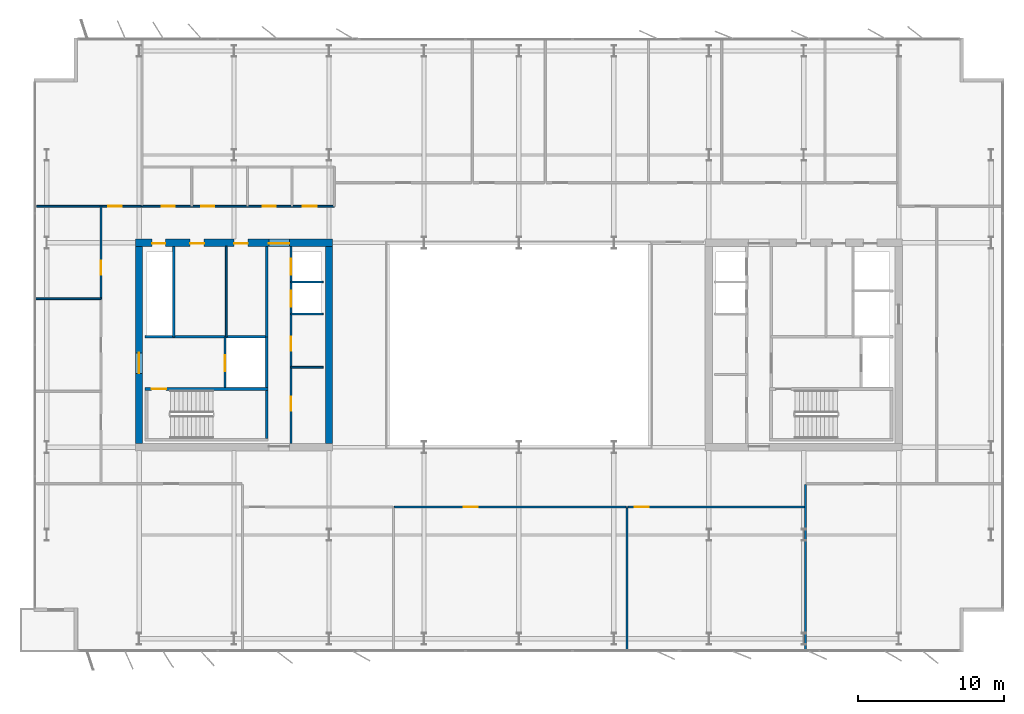
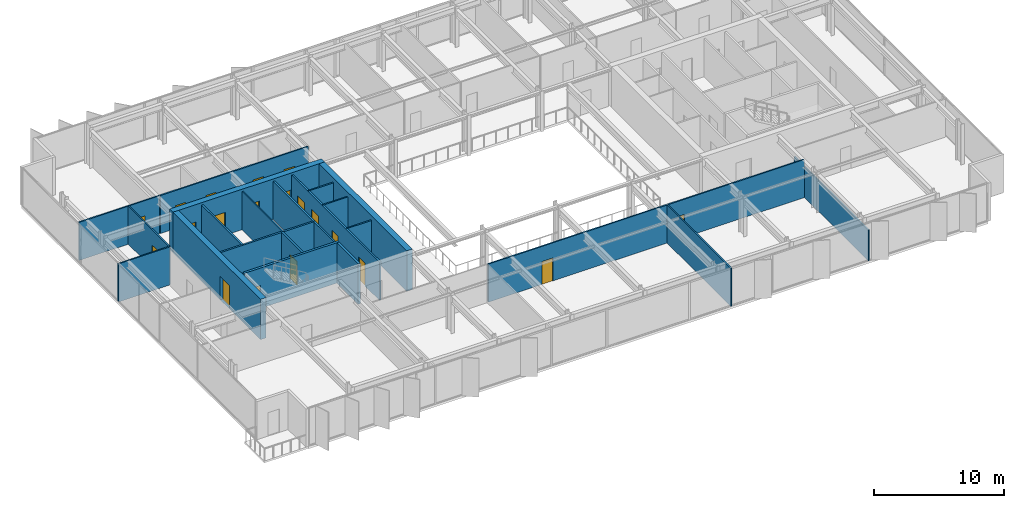
# One storey, part 17 of 23: 23 walls, 19 doors, 19 openings.
"""IFC4 building model written with IfcOpenShell, lengths in metres."""

from ifc_helpers import new_model, si_unit, direction, frame, frame_2d, origin, place, context, subcontext, project, spatial, rectangle, extrude, material, layer, layer_set, type_object, element, fill, save


model = new_model("IFC4")

# Units and contexts
model_context = context("Model", 3, precision=1e-05, world=origin(), true_north=direction((0.0, 1.0)))
body_context = subcontext(model_context, "Body", "Model", "MODEL_VIEW")
ifc_project = project(units=[si_unit("LENGTHUNIT", "METRE"), si_unit("AREAUNIT", "SQUARE_METRE"), si_unit("VOLUMEUNIT", "CUBIC_METRE"), si_unit("PLANEANGLEUNIT", "RADIAN"), si_unit("MASSUNIT", "GRAM", prefix="KILO")], contexts=[model_context])

# Site, building, storey
site_placement = place(None, origin())
site = spatial("IfcSite", under=ifc_project, at=site_placement, CompositionType="ELEMENT")
building_placement = place(site_placement, origin())
building = spatial("IfcBuilding", under=site, at=building_placement, Name="Putna Gate Headquarters", CompositionType="ELEMENT")
storey_placement = place(building_placement, frame((0.0, 0.0, 232.800048828125)))
storey = spatial("IfcBuildingStorey", under=building, at=storey_placement, Name="L58", CompositionType="ELEMENT", Elevation=232.800048828125)

# Wall, openings, doors
ifc_material_1 = material(Name="Concrete C50/60", Category="concrete")
ifc_layer_1 = layer(ifc_material_1, 0.5)
ifc_layer_set_1 = layer_set([ifc_layer_1], Name="Concrete C50/60")
wall_type_1 = type_object("IfcWallType", Name="WALL-CORE-500", PredefinedType="SHEAR", material=ifc_layer_set_1)
wall_1_placement = place(storey_placement, frame((12.75, 33.0, 0.0), z_axis=(0.0, 0.0, 1.0), x_axis=(1.0, 0.0, 0.0)))
wall_1 = element("IfcWall", 1, at=wall_1_placement, inside=storey, type_object=wall_type_1, Name="L58 WC Split Core Shear Wall N", PredefinedType="SHEAR", context=body_context, shape_type="SweptSolid", body=[
    extrude(rectangle(XDim=13.5, YDim=0.5, at=frame_2d((6.75, 0.0))), origin(), (0.0, 0.0, 1.0), 3.800048828125),
])
opening_1_placement = place(wall_1_placement, frame((1.14990234375, 0.0, 0.0)))
opening_1 = element("IfcOpeningElement", 2, at=opening_1_placement, cuts=wall_1, Name="Opening RD-90", PredefinedType="OPENING", context=body_context, shape_type="SweptSolid", body=[
    extrude(rectangle(XDim=0.89990234375, YDim=2.14990234375, at=frame_2d((0.449951171875, 1.074951171875))), frame((0.0, 0.260009765625, 0.0), z_axis=(0.0, -1.0, 0.0), x_axis=(1.0, 0.0, 0.0)), (0.0, 0.0, 1.0), 0.52001953125),
])
opening_2_placement = place(wall_1_placement, frame((3.75, 0.0, 0.0)))
opening_2 = element("IfcOpeningElement", 3, at=opening_2_placement, cuts=wall_1, Name="Opening IDS-95", PredefinedType="OPENING", context=body_context, shape_type="SweptSolid", body=[
    extrude(rectangle(XDim=0.949951171875, YDim=2.14990234375, at=frame_2d((0.47509765625, 1.074951171875))), frame((0.0, 0.260009765625, 0.0), z_axis=(0.0, -1.0, 0.0), x_axis=(1.0, 0.0, 0.0)), (0.0, 0.0, 1.0), 0.52001953125),
])
opening_3_placement = place(wall_1_placement, frame((6.75, 0.0, 0.0)))
opening_3 = element("IfcOpeningElement", 4, at=opening_3_placement, cuts=wall_1, Name="Opening IDS-95", PredefinedType="OPENING", context=body_context, shape_type="SweptSolid", body=[
    extrude(rectangle(XDim=0.949951171875, YDim=2.14990234375, at=frame_2d((0.47509765625, 1.074951171875))), frame((0.0, 0.260009765625, 0.0), z_axis=(0.0, -1.0, 0.0), x_axis=(1.0, 0.0, 0.0)), (0.0, 0.0, 1.0), 0.52001953125),
])
opening_4_placement = place(wall_1_placement, frame((9.1298828125, 0.0, 0.0)))
opening_4 = element("IfcOpeningElement", 5, at=opening_4_placement, cuts=wall_1, Name="Opening FDD-140", PredefinedType="OPENING", context=body_context, shape_type="SweptSolid", body=[
    extrude(rectangle(XDim=1.39990234375, YDim=2.199951171875, at=frame_2d((0.699951171875, 1.10009765625))), frame((0.0, 0.260009765625, 0.0), z_axis=(0.0, -1.0, 0.0), x_axis=(1.0, 0.0, 0.0)), (0.0, 0.0, 1.0), 0.52001953125),
])
ifc_material_2 = material(Name="Double steel fire door", Category="steel")
door_type_1 = type_object("IfcDoorType", Name="DOOR-FIRE-DBL-1400", OperationType="DOUBLE_DOOR_SINGLE_SWING", PredefinedType="DOOR", material=ifc_material_2)
door_1_placement = place(opening_4_placement, origin())
door_1 = element("IfcDoor", 6, at=door_1_placement, inside=storey, type_object=door_type_1, Name="L58 West Lift Lobby North Door", OperationType="DOUBLE_DOOR_SINGLE_SWING", OverallHeight=2.199951171875, OverallWidth=1.39990234375, PredefinedType="DOOR", context=body_context, shape_type="SweptSolid", body=[
    extrude(rectangle(XDim=1.39990234375, YDim=2.199951171875, at=frame_2d((0.699951171875, 1.10009765625))), frame((0.0, -0.02490234375, 0.0), z_axis=(0.0, -1.0, 0.0), x_axis=(1.0, 0.0, 0.0)), (0.0, 0.0, 1.0), 0.050048828125),
])
fill(opening_4, door_1)
ifc_material_3 = material(Name="Fire-rated service timber door", Category="wood")
door_type_2 = type_object("IfcDoorType", Name="DOOR-INT-950", OperationType="NOTDEFINED", PredefinedType="DOOR", material=ifc_material_3)
door_2_placement = place(opening_2_placement, origin())
door_2 = element("IfcDoor", 7, at=door_2_placement, inside=storey, type_object=door_type_2, Name="L58 Cleaner Store Door", OperationType="SINGLE_SWING_LEFT", OverallHeight=2.14990234375, OverallWidth=0.949951171875, PredefinedType="DOOR", context=body_context, shape_type="SweptSolid", body=[
    extrude(rectangle(XDim=0.949951171875, YDim=2.14990234375, at=frame_2d((0.47509765625, 1.074951171875))), frame((0.0, -0.02490234375, 0.0), z_axis=(0.0, -1.0, 0.0), x_axis=(1.0, 0.0, 0.0)), (0.0, 0.0, 1.0), 0.050048828125),
])
fill(opening_2, door_2)
door_3_placement = place(opening_3_placement, origin())
door_3 = element("IfcDoor", 8, at=door_3_placement, inside=storey, type_object=door_type_2, Name="L58 Comms Plant Door", OperationType="SINGLE_SWING_RIGHT", OverallHeight=2.14990234375, OverallWidth=0.949951171875, PredefinedType="DOOR", context=body_context, shape_type="SweptSolid", body=[
    extrude(rectangle(XDim=0.949951171875, YDim=2.14990234375, at=frame_2d((0.47509765625, 1.074951171875))), frame((0.0, -0.02490234375, 0.0), z_axis=(0.0, -1.0, 0.0), x_axis=(1.0, 0.0, 0.0)), (0.0, 0.0, 1.0), 0.050048828125),
])
fill(opening_3, door_3)
ifc_material_4 = material(Name="Steel riser access fire door", Category="steel")
door_type_3 = type_object("IfcDoorType", Name="DOOR-RISER-900", OperationType="NOTDEFINED", PredefinedType="DOOR", material=ifc_material_4)
door_4_placement = place(opening_1_placement, origin())
door_4 = element("IfcDoor", 9, at=door_4_placement, inside=storey, type_object=door_type_3, Name="L58 West Riser Access Door", OperationType="SINGLE_SWING_RIGHT", OverallHeight=2.14990234375, OverallWidth=0.89990234375, PredefinedType="DOOR", context=body_context, shape_type="SweptSolid", body=[
    extrude(rectangle(XDim=0.89990234375, YDim=2.14990234375, at=frame_2d((0.449951171875, 1.074951171875))), frame((0.0, -0.02490234375, 0.0), z_axis=(0.0, -1.0, 0.0), x_axis=(1.0, 0.0, 0.0)), (0.0, 0.0, 1.0), 0.050048828125),
])
fill(opening_1, door_4)

# Wall, opening, door
wall_2_placement = place(storey_placement, frame((13.0, 19.25, 0.0), z_axis=(0.0, 0.0, 1.0), x_axis=(0.0, 1.0, 0.0)))
wall_2 = element("IfcWall", 10, at=wall_2_placement, inside=storey, type_object=wall_type_1, Name="L58 WC Split Core Shear Wall W", PredefinedType="SHEAR", context=body_context, shape_type="SweptSolid", body=[
    extrude(rectangle(XDim=13.5, YDim=0.5, at=frame_2d((6.75, 0.0))), origin(), (0.0, 0.0, 1.0), 3.800048828125),
])
opening_5_placement = place(wall_2_placement, frame((4.800048828125, 0.0, 0.0)))
opening_5 = element("IfcOpeningElement", 11, at=opening_5_placement, cuts=wall_2, Name="Opening FDD-140", PredefinedType="OPENING", context=body_context, shape_type="SweptSolid", body=[
    extrude(rectangle(XDim=1.39990234375, YDim=2.199951171875, at=frame_2d((0.699951171875, 1.10009765625))), frame((0.0, 0.260009765625, 0.0), z_axis=(0.0, -1.0, 0.0), x_axis=(1.0, 0.0, 0.0)), (0.0, 0.0, 1.0), 0.52001953125),
])
door_5_placement = place(opening_5_placement, origin())
door_5 = element("IfcDoor", 12, at=door_5_placement, inside=storey, type_object=door_type_1, Name="L58 West Firefighting Lobby Door", OperationType="DOUBLE_DOOR_SINGLE_SWING", OverallHeight=2.199951171875, OverallWidth=1.39990234375, PredefinedType="DOOR", context=body_context, shape_type="SweptSolid", body=[
    extrude(rectangle(XDim=1.39990234375, YDim=2.199951171875, at=frame_2d((0.699951171875, 1.10009765625))), frame((0.0, 0.02490234375, 0.0), z_axis=(0.0, -1.0, 0.0), x_axis=(1.0, 0.0, 0.0)), (0.0, 0.0, 1.0), 0.050048828125),
])
fill(opening_5, door_5)

# Walls
wall_3_placement = place(storey_placement, frame((26.0, 19.25, 0.0), z_axis=(0.0, 0.0, 1.0), x_axis=(0.0, 1.0, 0.0)))
element("IfcWall", 13, at=wall_3_placement, inside=storey, type_object=wall_type_1, Name="L58 WC Split Core Shear Wall E", PredefinedType="SHEAR", context=body_context, shape_type="SweptSolid", body=[
    extrude(rectangle(XDim=13.5, YDim=0.5, at=frame_2d((6.75, 0.0))), origin(), (0.0, 0.0, 1.0), 3.800048828125),
])
ifc_material_5 = material(Name="Acoustic gypsum board on metal stud")
ifc_layer_2 = layer(ifc_material_5, 0.1201171875)
ifc_layer_set_2 = layer_set([ifc_layer_2], Name="Acoustic gypsum board on metal stud")
wall_type_2 = type_object("IfcWallType", Name="WALL-PART-120", PredefinedType="PARTITIONING", material=ifc_layer_set_2)
wall_4_placement = place(storey_placement, frame((46.396484375, 5.02001953125, 0.0), z_axis=(0.0, 0.0, 1.0), x_axis=(0.0, 1.0, 0.0)))
element("IfcWall", 14, at=wall_4_placement, inside=storey, type_object=wall_type_2, Name="L58 Interior Wall PART-L58-SB-DIV-03", PredefinedType="PARTITIONING", context=body_context, shape_type="SweptSolid", body=[
    extrude(rectangle(XDim=9.820068359375, YDim=0.1201171875, at=frame_2d((4.91015625, 0.0))), origin(), (0.0, 0.0, 1.0), 3.579833984375),
])
wall_5_placement = place(storey_placement, frame((58.614013671875, 5.02001953125, 0.0), z_axis=(0.0, 0.0, 1.0), x_axis=(0.0, 1.0, 0.0)))
element("IfcWall", 15, at=wall_5_placement, inside=storey, type_object=wall_type_2, Name="L58 Interior Wall PART-L58-SB-DIV-04", PredefinedType="PARTITIONING", context=body_context, shape_type="SweptSolid", body=[
    extrude(rectangle(XDim=11.419921875, YDim=0.1201171875, at=frame_2d((5.7099609375, 0.0))), origin(), (0.0, 0.0, 1.0), 2.8798828125),
])
wall_6_placement = place(storey_placement, frame((5.820068359375, 29.166748046875, 0.0), z_axis=(0.0, 0.0, 1.0), x_axis=(1.0, 0.0, 0.0)))
element("IfcWall", 16, at=wall_6_placement, inside=storey, type_object=wall_type_2, Name="L58 Interior Wall PART-L58-WW-DIV-2", PredefinedType="PARTITIONING", context=body_context, shape_type="SweptSolid", body=[
    extrude(rectangle(XDim=4.579833984375, YDim=0.1201171875, at=frame_2d((2.2900390625, 0.0))), origin(), (0.0, 0.0, 1.0), 3.579833984375),
])
ifc_material_6 = material(Name="Fire-rated shaftwall gypsum board on metal stud")
ifc_layer_3 = layer(ifc_material_6, 0.1201171875)
ifc_layer_set_3 = layer_set([ifc_layer_3], Name="Fire-rated shaftwall gypsum board on metal stud")
wall_type_3 = type_object("IfcWallType", Name="WALL-PART-120-EI120", PredefinedType="PARTITIONING", material=ifc_layer_set_3)
wall_7_placement = place(storey_placement, frame((23.39990234375, 30.31005859375, 0.0), z_axis=(0.0, 0.0, 1.0), x_axis=(1.0, 0.0, 0.0)))
element("IfcWall", 17, at=wall_7_placement, inside=storey, type_object=wall_type_3, Name="L58 Interior Wall CWINT-L58-WC-LF09-DIV", PredefinedType="PARTITIONING", context=body_context, shape_type="SweptSolid", body=[
    extrude(rectangle(XDim=2.2001953125, YDim=0.1201171875, at=frame_2d((1.10009765625, 0.0))), origin(), (0.0, 0.0, 1.0), 3.579833984375),
])
ifc_material_7 = material(Name="Fire-rated gypsum board on metal stud")
ifc_layer_4 = layer(ifc_material_7, 0.1201171875)
ifc_layer_set_4 = layer_set([ifc_layer_4], Name="Fire-rated gypsum board on metal stud")
wall_type_4 = type_object("IfcWallType", Name="WALL-PART-120-RATED", PredefinedType="PARTITIONING", material=ifc_layer_set_4)
wall_8_placement = place(storey_placement, frame((18.969970703125, 26.56005859375, 0.0), z_axis=(0.0, 0.0, 1.0), x_axis=(0.0, 1.0, 0.0)))
element("IfcWall", 18, at=wall_8_placement, inside=storey, type_object=wall_type_4, Name="L58 Interior Wall CWINT-L58-WC-K0-DIV", PredefinedType="PARTITIONING", context=body_context, shape_type="SweptSolid", body=[
    extrude(rectangle(XDim=6.18994140625, YDim=0.1201171875, at=frame_2d((3.094970703125, 0.0))), origin(), (0.0, 0.0, 1.0), 3.579833984375),
])
for number, where, z_axis, x_axis, name in (
    (19, (23.39990234375, 24.469970703125, 0.0), (0.0, 0.0, 1.0), (1.0, 0.0, 0.0), "L58 Interior Wall CWINT-L58-WC-REUSE-DIV"),
    (20, (23.39990234375, 28.1201171875, 0.0), (0.0, 0.0, 1.0), (1.0, 0.0, 0.0), "L58 Interior Wall CWINT-L58-WC-LF06-DIV"),
):
    element("IfcWall", number, at=place(storey_placement, frame(where, z_axis=z_axis, x_axis=x_axis)), inside=storey, type_object=wall_type_4, Name=name, PredefinedType="PARTITIONING", context=body_context, shape_type="SweptSolid", body=[
        extrude(rectangle(XDim=2.2001953125, YDim=0.1201171875, at=frame_2d((1.10009765625, 0.0))), origin(), (0.0, 0.0, 1.0), 3.579833984375),
    ])

# Wall, openings, doors
wall_9_placement = place(storey_placement, frame((13.199951171875, 35.5, 0.0), z_axis=(0.0, 0.0, 1.0), x_axis=(1.0, 0.0, 0.0)))
wall_9 = element("IfcWall", 21, at=wall_9_placement, inside=storey, type_object=wall_type_4, Name="L58 Interior Wall PART-L58-SAN-CW", PredefinedType="PARTITIONING", context=body_context, shape_type="SweptSolid", body=[
    extrude(rectangle(XDim=13.16015625, YDim=0.1201171875, at=frame_2d((6.580078125, 0.0))), origin(), (0.0, 0.0, 1.0), 3.579833984375),
])
opening_6_placement = place(wall_9_placement, frame((1.35009765625, 0.0, 0.0)))
opening_6 = element("IfcOpeningElement", 22, at=opening_6_placement, cuts=wall_9, Name="Opening FD-90", PredefinedType="OPENING", context=body_context, shape_type="SweptSolid", body=[
    extrude(rectangle(XDim=0.89990234375, YDim=2.14990234375, at=frame_2d((0.449951171875, 1.074951171875))), frame((0.0, 0.070068359375, 0.0), z_axis=(0.0, -1.0, 0.0), x_axis=(1.0, 0.0, 0.0)), (0.0, 0.0, 1.0), 0.14013671875),
])
opening_7_placement = place(wall_9_placement, frame((4.050048828125, 0.0, 0.0)))
opening_7 = element("IfcOpeningElement", 23, at=opening_7_placement, cuts=wall_9, Name="Opening FD-90", PredefinedType="OPENING", context=body_context, shape_type="SweptSolid", body=[
    extrude(rectangle(XDim=0.89990234375, YDim=2.14990234375, at=frame_2d((0.449951171875, 1.074951171875))), frame((0.0, 0.070068359375, 0.0), z_axis=(0.0, -1.0, 0.0), x_axis=(1.0, 0.0, 0.0)), (0.0, 0.0, 1.0), 0.14013671875),
])
opening_8_placement = place(wall_9_placement, frame((8.25, 0.0, 0.0)))
opening_8 = element("IfcOpeningElement", 24, at=opening_8_placement, cuts=wall_9, Name="Opening FD-90", PredefinedType="OPENING", context=body_context, shape_type="SweptSolid", body=[
    extrude(rectangle(XDim=0.89990234375, YDim=2.14990234375, at=frame_2d((0.449951171875, 1.074951171875))), frame((0.0, 0.070068359375, 0.0), z_axis=(0.0, -1.0, 0.0), x_axis=(1.0, 0.0, 0.0)), (0.0, 0.0, 1.0), 0.14013671875),
])
opening_9_placement = place(wall_9_placement, frame((11.0, 0.0, 0.0)))
opening_9 = element("IfcOpeningElement", 25, at=opening_9_placement, cuts=wall_9, Name="Opening FD-95", PredefinedType="OPENING", context=body_context, shape_type="SweptSolid", body=[
    extrude(rectangle(XDim=0.949951171875, YDim=2.14990234375, at=frame_2d((0.47509765625, 1.074951171875))), frame((0.0, 0.070068359375, 0.0), z_axis=(0.0, -1.0, 0.0), x_axis=(1.0, 0.0, 0.0)), (0.0, 0.0, 1.0), 0.14013671875),
])
ifc_material_8 = material(Name="Acoustic washroom fire door")
door_type_4 = type_object("IfcDoorType", Name="DOOR-FIRE-900", OperationType="NOTDEFINED", PredefinedType="DOOR", material=ifc_material_8)
door_6_placement = place(opening_6_placement, origin())
door_6 = element("IfcDoor", 26, at=door_6_placement, inside=storey, type_object=door_type_4, Name="L58 Washroom Male Door", OperationType="SINGLE_SWING_RIGHT", OverallHeight=2.14990234375, OverallWidth=0.89990234375, PredefinedType="DOOR", context=body_context, shape_type="SweptSolid", body=[
    extrude(rectangle(XDim=0.89990234375, YDim=2.14990234375, at=frame_2d((0.449951171875, 1.074951171875))), frame((0.0, 0.02490234375, 0.0), z_axis=(0.0, -1.0, 0.0), x_axis=(1.0, 0.0, 0.0)), (0.0, 0.0, 1.0), 0.050048828125),
])
fill(opening_6, door_6)
door_7_placement = place(opening_7_placement, origin())
door_7 = element("IfcDoor", 27, at=door_7_placement, inside=storey, type_object=door_type_4, Name="L58 Washroom Female Door", OperationType="SINGLE_SWING_LEFT", OverallHeight=2.14990234375, OverallWidth=0.89990234375, PredefinedType="DOOR", context=body_context, shape_type="SweptSolid", body=[
    extrude(rectangle(XDim=0.89990234375, YDim=2.14990234375, at=frame_2d((0.449951171875, 1.074951171875))), frame((0.0, 0.02490234375, 0.0), z_axis=(0.0, -1.0, 0.0), x_axis=(1.0, 0.0, 0.0)), (0.0, 0.0, 1.0), 0.050048828125),
])
fill(opening_7, door_7)
door_8_placement = place(opening_8_placement, origin())
door_8 = element("IfcDoor", 28, at=door_8_placement, inside=storey, type_object=door_type_4, Name="L58 Accessible WC Door", OperationType="SINGLE_SWING_RIGHT", OverallHeight=2.14990234375, OverallWidth=0.89990234375, PredefinedType="DOOR", context=body_context, shape_type="SweptSolid", body=[
    extrude(rectangle(XDim=0.89990234375, YDim=2.14990234375, at=frame_2d((0.449951171875, 1.074951171875))), frame((0.0, 0.02490234375, 0.0), z_axis=(0.0, -1.0, 0.0), x_axis=(1.0, 0.0, 0.0)), (0.0, 0.0, 1.0), 0.050048828125),
])
fill(opening_8, door_8)
ifc_material_9 = material(Name="Acoustic timber fire door", Category="wood")
door_type_5 = type_object("IfcDoorType", Name="DOOR-FIRE-950", OperationType="NOTDEFINED", PredefinedType="DOOR", material=ifc_material_9)
door_9_placement = place(opening_9_placement, origin())
door_9 = element("IfcDoor", 29, at=door_9_placement, inside=storey, type_object=door_type_5, Name="L58 Staff Pantry and Tea Point Door", OperationType="SINGLE_SWING_LEFT", OverallHeight=2.14990234375, OverallWidth=0.949951171875, PredefinedType="DOOR", context=body_context, shape_type="SweptSolid", body=[
    extrude(rectangle(XDim=0.949951171875, YDim=2.14990234375, at=frame_2d((0.47509765625, 1.074951171875))), frame((0.0, 0.02490234375, 0.0), z_axis=(0.0, -1.0, 0.0), x_axis=(1.0, 0.0, 0.0)), (0.0, 0.0, 1.0), 0.050048828125),
])
fill(opening_9, door_9)

# Wall, opening, door
wall_10_placement = place(storey_placement, frame((5.97998046875, 35.5, 0.0), z_axis=(0.0, 0.0, 1.0), x_axis=(1.0, 0.0, 0.0)))
wall_10 = element("IfcWall", 30, at=wall_10_placement, inside=storey, type_object=wall_type_4, Name="L58 Interior Wall PART-L58-NB-CW-01", PredefinedType="PARTITIONING", context=body_context, shape_type="SweptSolid", body=[
    extrude(rectangle(XDim=7.159912109375, YDim=0.1201171875, at=frame_2d((3.580078125, 0.0))), origin(), (0.0, 0.0, 1.0), 3.579833984375),
])
opening_10_placement = place(wall_10_placement, frame((4.89990234375, 0.0, 0.0)))
opening_10 = element("IfcOpeningElement", 31, at=opening_10_placement, cuts=wall_10, Name="Opening FD-95", PredefinedType="OPENING", context=body_context, shape_type="SweptSolid", body=[
    extrude(rectangle(XDim=0.949951171875, YDim=2.14990234375, at=frame_2d((0.47509765625, 1.074951171875))), frame((0.0, 0.070068359375, 0.0), z_axis=(0.0, -1.0, 0.0), x_axis=(1.0, 0.0, 0.0)), (0.0, 0.0, 1.0), 0.14013671875),
])
door_10_placement = place(opening_10_placement, origin())
door_10 = element("IfcDoor", 32, at=door_10_placement, inside=storey, type_object=door_type_5, Name="L58 Cellular Office 4 Door", OperationType="SINGLE_SWING_RIGHT", OverallHeight=2.14990234375, OverallWidth=0.949951171875, PredefinedType="DOOR", context=body_context, shape_type="SweptSolid", body=[
    extrude(rectangle(XDim=0.949951171875, YDim=2.14990234375, at=frame_2d((0.47509765625, 1.074951171875))), frame((0.0, 0.02490234375, 0.0), z_axis=(0.0, -1.0, 0.0), x_axis=(1.0, 0.0, 0.0)), (0.0, 0.0, 1.0), 0.050048828125),
])
fill(opening_10, door_10)

wall_11_placement = place(storey_placement, frame((30.46826171875, 14.89990234375, 0.0), z_axis=(0.0, 0.0, 1.0), x_axis=(1.0, 0.0, 0.0)))
wall_11 = element("IfcWall", 33, at=wall_11_placement, inside=storey, type_object=wall_type_4, Name="L58 Interior Wall PART-L58-SB-CW-03", PredefinedType="PARTITIONING", context=body_context, shape_type="SweptSolid", body=[
    extrude(rectangle(XDim=15.8681640625, YDim=0.1201171875, at=frame_2d((7.93408203125, 0.0))), origin(), (0.0, 0.0, 1.0), 3.579833984375),
])
opening_11_placement = place(wall_11_placement, frame((4.760498046875, 0.0, 0.0)))
opening_11 = element("IfcOpeningElement", 34, at=opening_11_placement, cuts=wall_11, Name="Opening FD-95", PredefinedType="OPENING", context=body_context, shape_type="SweptSolid", body=[
    extrude(rectangle(XDim=0.949951171875, YDim=2.14990234375, at=frame_2d((0.47509765625, 1.074951171875))), frame((0.0, 0.070068359375, 0.0), z_axis=(0.0, -1.0, 0.0), x_axis=(1.0, 0.0, 0.0)), (0.0, 0.0, 1.0), 0.14013671875),
])
door_11_placement = place(opening_11_placement, origin())
door_11 = element("IfcDoor", 35, at=door_11_placement, inside=storey, type_object=door_type_5, Name="L58 Cellular Office 2 Door", OperationType="SINGLE_SWING_RIGHT", OverallHeight=2.14990234375, OverallWidth=0.949951171875, PredefinedType="DOOR", context=body_context, shape_type="SweptSolid", body=[
    extrude(rectangle(XDim=0.949951171875, YDim=2.14990234375, at=frame_2d((0.47509765625, 1.074951171875))), frame((0.0, 0.02490234375, 0.0), z_axis=(0.0, -1.0, 0.0), x_axis=(1.0, 0.0, 0.0)), (0.0, 0.0, 1.0), 0.050048828125),
])
fill(opening_11, door_11)

wall_12_placement = place(storey_placement, frame((46.45654296875, 14.89990234375, 0.0), z_axis=(0.0, 0.0, 1.0), x_axis=(1.0, 0.0, 0.0)))
wall_12 = element("IfcWall", 36, at=wall_12_placement, inside=storey, type_object=wall_type_4, Name="L58 Interior Wall PART-L58-SB-CW-04", PredefinedType="PARTITIONING", context=body_context, shape_type="SweptSolid", body=[
    extrude(rectangle(XDim=12.097412109375, YDim=0.1201171875, at=frame_2d((6.048828125, 0.0))), origin(), (0.0, 0.0, 1.0), 3.579833984375),
])
opening_12_placement = place(wall_12_placement, frame((0.47998046875, 0.0, 0.0)))
opening_12 = element("IfcOpeningElement", 37, at=opening_12_placement, cuts=wall_12, Name="Opening FD-95", PredefinedType="OPENING", context=body_context, shape_type="SweptSolid", body=[
    extrude(rectangle(XDim=0.949951171875, YDim=2.14990234375, at=frame_2d((0.47509765625, 1.074951171875))), frame((0.0, 0.070068359375, 0.0), z_axis=(0.0, -1.0, 0.0), x_axis=(1.0, 0.0, 0.0)), (0.0, 0.0, 1.0), 0.14013671875),
])
door_12_placement = place(opening_12_placement, origin())
door_12 = element("IfcDoor", 38, at=door_12_placement, inside=storey, type_object=door_type_5, Name="L58 Cellular Office 3 Door", OperationType="SINGLE_SWING_LEFT", OverallHeight=2.14990234375, OverallWidth=0.949951171875, PredefinedType="DOOR", context=body_context, shape_type="SweptSolid", body=[
    extrude(rectangle(XDim=0.949951171875, YDim=2.14990234375, at=frame_2d((0.47509765625, 1.074951171875))), frame((0.0, 0.02490234375, 0.0), z_axis=(0.0, -1.0, 0.0), x_axis=(1.0, 0.0, 0.0)), (0.0, 0.0, 1.0), 0.050048828125),
])
fill(opening_12, door_12)

wall_13_placement = place(storey_placement, frame((10.39990234375, 29.166748046875, 0.0), z_axis=(0.0, 0.0, 1.0), x_axis=(0.0, 1.0, 0.0)))
wall_13 = element("IfcWall", 39, at=wall_13_placement, inside=storey, type_object=wall_type_4, Name="L58 Interior Wall PART-L58-WW-CW-3", PredefinedType="PARTITIONING", context=body_context, shape_type="SweptSolid", body=[
    extrude(rectangle(XDim=6.333251953125, YDim=0.1201171875, at=frame_2d((3.16650390625, 0.0))), origin(), (0.0, 0.0, 1.0), 3.579833984375),
])
opening_13_placement = place(wall_13_placement, frame((1.6416015625, 0.0, 0.0)))
opening_13 = element("IfcOpeningElement", 40, at=opening_13_placement, cuts=wall_13, Name="Opening FD-95", PredefinedType="OPENING", context=body_context, shape_type="SweptSolid", body=[
    extrude(rectangle(XDim=0.949951171875, YDim=2.14990234375, at=frame_2d((0.47509765625, 1.074951171875))), frame((0.0, 0.070068359375, 0.0), z_axis=(0.0, -1.0, 0.0), x_axis=(1.0, 0.0, 0.0)), (0.0, 0.0, 1.0), 0.14013671875),
])
door_13_placement = place(opening_13_placement, origin())
door_13 = element("IfcDoor", 41, at=door_13_placement, inside=storey, type_object=door_type_5, Name="L58 West Project Meeting Room 3 Door", OperationType="SINGLE_SWING_LEFT", OverallHeight=2.14990234375, OverallWidth=0.949951171875, PredefinedType="DOOR", context=body_context, shape_type="SweptSolid", body=[
    extrude(rectangle(XDim=0.949951171875, YDim=2.14990234375, at=frame_2d((0.47509765625, 1.074951171875))), frame((0.0, 0.02490234375, 0.0), z_axis=(0.0, -1.0, 0.0), x_axis=(1.0, 0.0, 0.0)), (0.0, 0.0, 1.0), 0.050048828125),
])
fill(opening_13, door_13)

# Wall
ifc_material_10 = material(Name="Concrete C40/50", Category="concrete")
ifc_layer_5 = layer(ifc_material_10, 0.159912109375)
ifc_layer_set_5 = layer_set([ifc_layer_5], Name="Concrete C40/50")
wall_type_5 = type_object("IfcWallType", Name="WALL-SHAFT-160", PredefinedType="STANDARD", material=ifc_layer_set_5)
wall_14_placement = place(storey_placement, frame((21.739990234375, 23.090087890625, 0.0), z_axis=(0.0, 0.0, 1.0), x_axis=(0.0, 1.0, 0.0)))
element("IfcWall", 42, at=wall_14_placement, inside=storey, type_object=wall_type_5, Name="L58 Interior Wall CWINT-L58-WC-FFL-E", PredefinedType="STANDARD", context=body_context, shape_type="SweptSolid", body=[
    extrude(rectangle(XDim=3.469970703125, YDim=0.159912109375, at=frame_2d((1.73486328125, 0.0))), origin(), (0.0, 0.0, 1.0), 3.579833984375),
])

# Wall, opening, door
wall_15_placement = place(storey_placement, frame((18.8798828125, 23.090087890625, 0.0), z_axis=(0.0, 0.0, 1.0), x_axis=(0.0, 1.0, 0.0)))
wall_15 = element("IfcWall", 43, at=wall_15_placement, inside=storey, type_object=wall_type_5, Name="L58 Interior Wall CWINT-L58-WC-LF13-W", PredefinedType="STANDARD", context=body_context, shape_type="SweptSolid", body=[
    extrude(rectangle(XDim=3.469970703125, YDim=0.159912109375, at=frame_2d((1.73486328125, 0.0))), origin(), (0.0, 0.0, 1.0), 3.579833984375),
])
opening_14_placement = place(wall_15_placement, frame((1.10009765625, 0.0, 0.0)))
opening_14 = element("IfcOpeningElement", 44, at=opening_14_placement, cuts=wall_15, Name="Opening LD-1", PredefinedType="OPENING", context=body_context, shape_type="SweptSolid", body=[
    extrude(rectangle(XDim=1.10009765625, YDim=2.199951171875, at=frame_2d((0.550048828125, 1.10009765625))), frame((0.0, 0.08984375, 0.0), z_axis=(0.0, -1.0, 0.0), x_axis=(1.0, 0.0, 0.0)), (0.0, 0.0, 1.0), 0.179931640625),
])
ifc_material_11 = material(Name="Brushed bronze stainless lift landing door")
door_type_6 = type_object("IfcDoorType", Name="DOOR-LIFT-1100", OperationType="DOUBLE_DOOR_SLIDING", PredefinedType="DOOR", material=ifc_material_11)
door_14_placement = place(opening_14_placement, origin())
door_14 = element("IfcDoor", 45, at=door_14_placement, inside=storey, type_object=door_type_6, Name="L58 Lift Landing Door LD-13", OperationType="DOUBLE_DOOR_SLIDING", OverallHeight=2.199951171875, OverallWidth=1.10009765625, PredefinedType="DOOR", context=body_context, shape_type="SweptSolid", body=[
    extrude(rectangle(XDim=1.10009765625, YDim=2.199951171875, at=frame_2d((0.550048828125, 1.10009765625))), frame((0.0, 0.02490234375, 0.0), z_axis=(0.0, -1.0, 0.0), x_axis=(1.0, 0.0, 0.0)), (0.0, 0.0, 1.0), 0.050048828125),
])
fill(opening_14, door_14)

# Walls
wall_16_placement = place(storey_placement, frame((13.39990234375, 26.56005859375, 0.0), z_axis=(0.0, 0.0, 1.0), x_axis=(1.0, 0.0, 0.0)))
element("IfcWall", 46, at=wall_16_placement, inside=storey, type_object=wall_type_5, Name="L58 Interior Wall CWINT-L58-WC-FFL-N", PredefinedType="STANDARD", context=body_context, shape_type="SweptSolid", body=[
    extrude(rectangle(XDim=8.340087890625, YDim=0.159912109375, at=frame_2d((4.169921875, 0.0))), origin(), (0.0, 0.0, 1.0), 3.579833984375),
])
for number, where, z_axis, x_axis, name in (
    (47, (15.3798828125, 26.56005859375, 0.0), (0.0, 0.0, 1.0), (0.0, 1.0, 0.0), "L58 Interior Wall CWINT-L58-WC-RISER-E"),
    (48, (21.739990234375, 26.56005859375, 0.0), (0.0, 0.0, 1.0), (0.0, 1.0, 0.0), "L58 Interior Wall CWINT-L58-WC-LOB-W"),
):
    element("IfcWall", number, at=place(storey_placement, frame(where, z_axis=z_axis, x_axis=x_axis)), inside=storey, type_object=wall_type_5, Name=name, PredefinedType="STANDARD", context=body_context, shape_type="SweptSolid", body=[
        extrude(rectangle(XDim=6.18994140625, YDim=0.159912109375, at=frame_2d((3.094970703125, 0.0))), origin(), (0.0, 0.0, 1.0), 3.579833984375),
    ])

# Wall, openings, doors
wall_17_placement = place(storey_placement, frame((23.39990234375, 19.25, 0.0), z_axis=(0.0, 0.0, 1.0), x_axis=(0.0, 1.0, 0.0)))
wall_17 = element("IfcWall", 49, at=wall_17_placement, inside=storey, type_object=wall_type_5, Name="L58 Interior Wall CWINT-L58-WC-PL-WALL", PredefinedType="STANDARD", context=body_context, shape_type="SweptSolid", body=[
    extrude(rectangle(XDim=13.5, YDim=0.159912109375, at=frame_2d((6.75, 0.0))), origin(), (0.0, 0.0, 1.0), 3.579833984375),
])
opening_15_placement = place(wall_17_placement, frame((2.25, 0.0, 0.0)))
opening_15 = element("IfcOpeningElement", 50, at=opening_15_placement, cuts=wall_17, Name="Opening IDS-95", PredefinedType="OPENING", context=body_context, shape_type="SweptSolid", body=[
    extrude(rectangle(XDim=0.949951171875, YDim=2.14990234375, at=frame_2d((0.47509765625, 1.074951171875))), frame((0.0, 0.08984375, 0.0), z_axis=(0.0, -1.0, 0.0), x_axis=(1.0, 0.0, 0.0)), (0.0, 0.0, 1.0), 0.179931640625),
])
opening_16_placement = place(wall_17_placement, frame((6.35009765625, 0.0, 0.0)))
opening_16 = element("IfcOpeningElement", 51, at=opening_16_placement, cuts=wall_17, Name="Opening IDS-95", PredefinedType="OPENING", context=body_context, shape_type="SweptSolid", body=[
    extrude(rectangle(XDim=0.949951171875, YDim=2.14990234375, at=frame_2d((0.47509765625, 1.074951171875))), frame((0.0, 0.08984375, 0.0), z_axis=(0.0, -1.0, 0.0), x_axis=(1.0, 0.0, 0.0)), (0.0, 0.0, 1.0), 0.179931640625),
])
opening_17_placement = place(wall_17_placement, frame((9.35009765625, 0.0, 0.0)))
opening_17 = element("IfcOpeningElement", 52, at=opening_17_placement, cuts=wall_17, Name="Opening LD-1", PredefinedType="OPENING", context=body_context, shape_type="SweptSolid", body=[
    extrude(rectangle(XDim=1.10009765625, YDim=2.199951171875, at=frame_2d((0.550048828125, 1.10009765625))), frame((0.0, 0.08984375, 0.0), z_axis=(0.0, -1.0, 0.0), x_axis=(1.0, 0.0, 0.0)), (0.0, 0.0, 1.0), 0.179931640625),
])
opening_18_placement = place(wall_17_placement, frame((11.550048828125, 0.0, 0.0)))
opening_18 = element("IfcOpeningElement", 53, at=opening_18_placement, cuts=wall_17, Name="Opening LD-1", PredefinedType="OPENING", context=body_context, shape_type="SweptSolid", body=[
    extrude(rectangle(XDim=1.10009765625, YDim=2.199951171875, at=frame_2d((0.550048828125, 1.10009765625))), frame((0.0, 0.08984375, 0.0), z_axis=(0.0, -1.0, 0.0), x_axis=(1.0, 0.0, 0.0)), (0.0, 0.0, 1.0), 0.179931640625),
])
door_15_placement = place(opening_15_placement, origin())
door_15 = element("IfcDoor", 54, at=door_15_placement, inside=storey, type_object=door_type_2, Name="L58 Tenant IT Hub Door", OperationType="SINGLE_SWING_LEFT", OverallHeight=2.14990234375, OverallWidth=0.949951171875, PredefinedType="DOOR", context=body_context, shape_type="SweptSolid", body=[
    extrude(rectangle(XDim=0.949951171875, YDim=2.14990234375, at=frame_2d((0.47509765625, 1.074951171875))), frame((0.0, 0.02490234375, 0.0), z_axis=(0.0, -1.0, 0.0), x_axis=(1.0, 0.0, 0.0)), (0.0, 0.0, 1.0), 0.050048828125),
])
fill(opening_15, door_15)
door_16_placement = place(opening_16_placement, origin())
door_16 = element("IfcDoor", 55, at=door_16_placement, inside=storey, type_object=door_type_2, Name="L58 Records Vault Door", OperationType="SINGLE_SWING_RIGHT", OverallHeight=2.14990234375, OverallWidth=0.949951171875, PredefinedType="DOOR", context=body_context, shape_type="SweptSolid", body=[
    extrude(rectangle(XDim=0.949951171875, YDim=2.14990234375, at=frame_2d((0.47509765625, 1.074951171875))), frame((0.0, 0.02490234375, 0.0), z_axis=(0.0, -1.0, 0.0), x_axis=(1.0, 0.0, 0.0)), (0.0, 0.0, 1.0), 0.050048828125),
])
fill(opening_16, door_16)
door_17_placement = place(opening_17_placement, origin())
door_17 = element("IfcDoor", 56, at=door_17_placement, inside=storey, type_object=door_type_6, Name="L58 Lift Landing Door LD-09", OperationType="DOUBLE_DOOR_SLIDING", OverallHeight=2.199951171875, OverallWidth=1.10009765625, PredefinedType="DOOR", context=body_context, shape_type="SweptSolid", body=[
    extrude(rectangle(XDim=1.10009765625, YDim=2.199951171875, at=frame_2d((0.550048828125, 1.10009765625))), frame((0.0, 0.02490234375, 0.0), z_axis=(0.0, -1.0, 0.0), x_axis=(1.0, 0.0, 0.0)), (0.0, 0.0, 1.0), 0.050048828125),
])
fill(opening_17, door_17)
door_18_placement = place(opening_18_placement, origin())
door_18 = element("IfcDoor", 57, at=door_18_placement, inside=storey, type_object=door_type_6, Name="L58 Lift Landing Door LD-10", OperationType="DOUBLE_DOOR_SLIDING", OverallHeight=2.199951171875, OverallWidth=1.10009765625, PredefinedType="DOOR", context=body_context, shape_type="SweptSolid", body=[
    extrude(rectangle(XDim=1.10009765625, YDim=2.199951171875, at=frame_2d((0.550048828125, 1.10009765625))), frame((0.0, 0.02490234375, 0.0), z_axis=(0.0, -1.0, 0.0), x_axis=(1.0, 0.0, 0.0)), (0.0, 0.0, 1.0), 0.050048828125),
])
fill(opening_18, door_18)

# Wall, opening, door
ifc_layer_6 = layer(ifc_material_10, 0.199951171875)
ifc_layer_set_6 = layer_set([ifc_layer_6], Name="Concrete C40/50")
wall_type_6 = type_object("IfcWallType", Name="WALL-SHAFT-RC200", PredefinedType="SHEAR", material=ifc_layer_set_6)
wall_18_placement = place(storey_placement, frame((13.409912109375, 22.989990234375, 0.0), z_axis=(0.0, 0.0, 1.0), x_axis=(1.0, 0.0, 0.0)))
wall_18 = element("IfcWall", 58, at=wall_18_placement, inside=storey, type_object=wall_type_6, Name="L58 Stair ST1 Structural Shaft Wall N", PredefinedType="SHEAR", context=body_context, shape_type="SweptSolid", body=[
    extrude(rectangle(XDim=8.43017578125, YDim=0.199951171875, at=frame_2d((4.215087890625, 0.0))), origin(), (0.0, 0.0, 1.0), 3.800048828125),
])
opening_19_placement = place(wall_18_placement, frame((0.449951171875, 0.0, 0.0)))
opening_19 = element("IfcOpeningElement", 59, at=opening_19_placement, cuts=wall_18, Name="Opening FD-100", PredefinedType="OPENING", context=body_context, shape_type="SweptSolid", body=[
    extrude(rectangle(XDim=1.0, YDim=2.14990234375, at=frame_2d((0.5, 1.074951171875))), frame((0.0, 0.10986328125, 0.0), z_axis=(0.0, -1.0, 0.0), x_axis=(1.0, 0.0, 0.0)), (0.0, 0.0, 1.0), 0.219970703125),
])
ifc_material_12 = material(Name="Powder-coated steel fire door", Category="steel")
door_type_7 = type_object("IfcDoorType", Name="DOOR-FIRE-1000", OperationType="NOTDEFINED", PredefinedType="DOOR", material=ifc_material_12)
door_19_placement = place(opening_19_placement, origin())
door_19 = element("IfcDoor", 60, at=door_19_placement, inside=storey, type_object=door_type_7, Name="L58 Stair ST1 Fire Door", OperationType="SINGLE_SWING_LEFT", OverallHeight=2.14990234375, OverallWidth=1.0, PredefinedType="DOOR", context=body_context, shape_type="SweptSolid", body=[
    extrude(rectangle(XDim=1.0, YDim=2.14990234375, at=frame_2d((0.5, 1.074951171875))), frame((0.0, 0.02490234375, 0.0), z_axis=(0.0, -1.0, 0.0), x_axis=(1.0, 0.0, 0.0)), (0.0, 0.0, 1.0), 0.050048828125),
])
fill(opening_19, door_19)

# Wall
wall_19_placement = place(storey_placement, frame((21.739990234375, 19.610107421875, 0.0), z_axis=(0.0, 0.0, 1.0), x_axis=(0.0, 1.0, 0.0)))
element("IfcWall", 61, at=wall_19_placement, inside=storey, type_object=wall_type_6, Name="L58 Stair ST1 Structural Shaft Wall E", PredefinedType="SHEAR", context=body_context, shape_type="SweptSolid", body=[
    extrude(rectangle(XDim=3.27978515625, YDim=0.199951171875, at=frame_2d((1.639892578125, 0.0))), origin(), (0.0, 0.0, 1.0), 3.800048828125),
])

save(model, "model.ifc")
